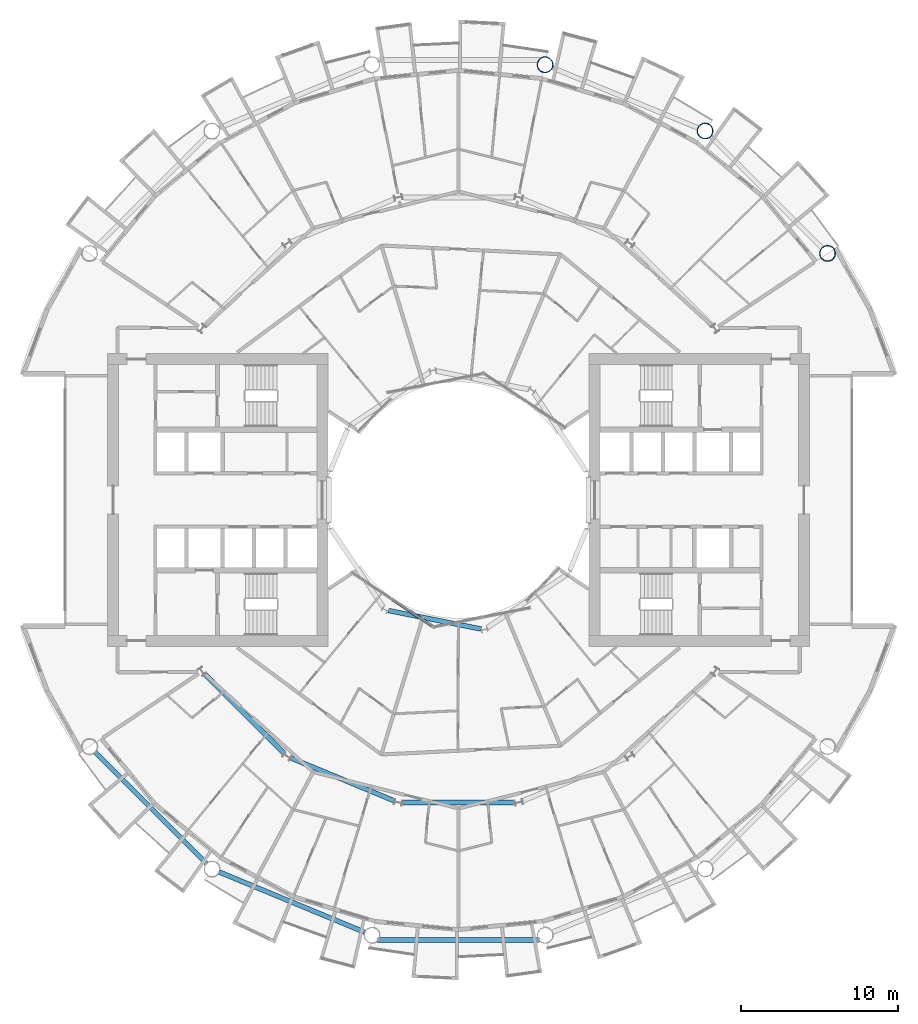
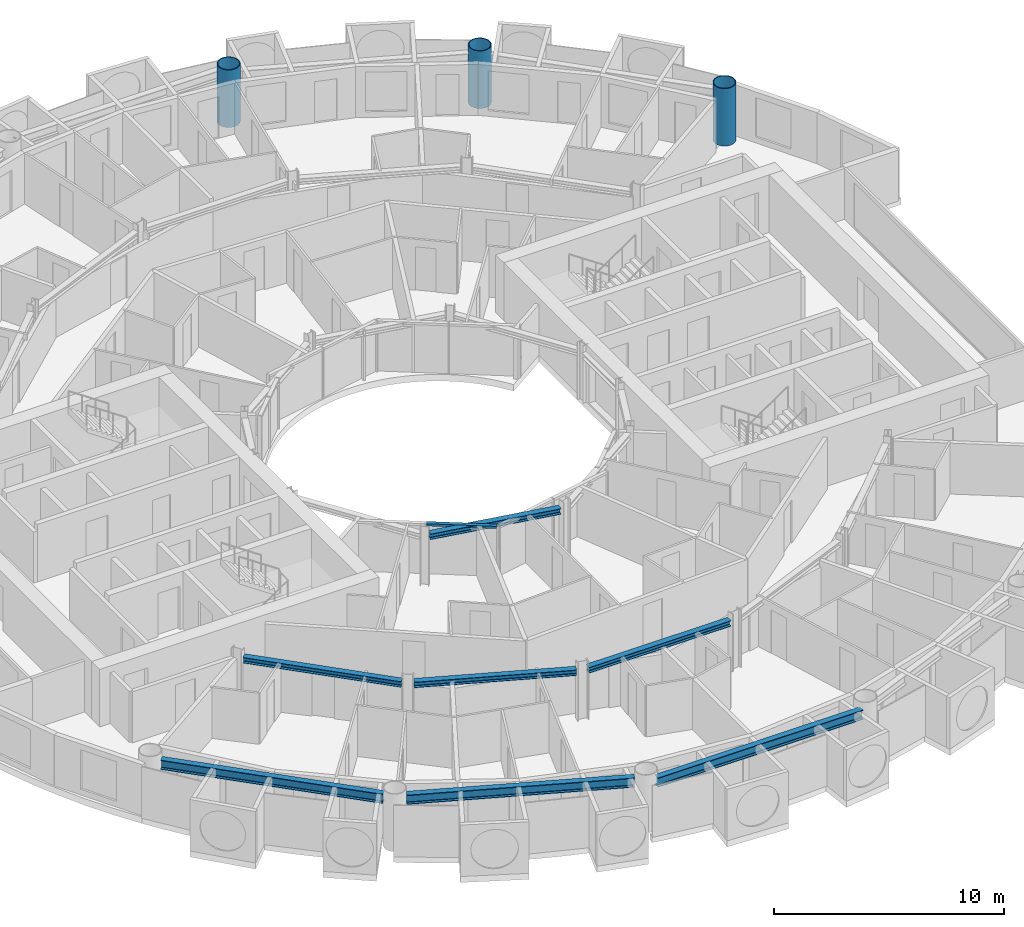
# One storey, part 4 of 26: 7 beams, 3 columns, 1 member, 1 element without a shape of its own.
"""IFC4 building model written with IfcOpenShell, lengths in metres."""

from ifc_helpers import new_model, si_unit, direction, frame, origin, origin_2d, place, context, subcontext, project, spatial, rectangle, hollow_circle, i_section, extrude, material, layer, layer_set, material_profile, profile_set, type_object, element, aggregate, save


model = new_model("IFC4")

# Units and contexts
model_context = context("Model", 3, precision=1e-05, world=origin(), true_north=direction((0.0, 1.0)))
body_context = subcontext(model_context, "Body", "Model", "MODEL_VIEW")
ifc_project = project(units=[si_unit("LENGTHUNIT", "METRE"), si_unit("AREAUNIT", "SQUARE_METRE"), si_unit("VOLUMEUNIT", "CUBIC_METRE"), si_unit("PLANEANGLEUNIT", "RADIAN"), si_unit("MASSUNIT", "GRAM", prefix="KILO")], contexts=[model_context])

# Site, building, storey
site_placement = place(None, origin())
site = spatial("IfcSite", under=ifc_project, at=site_placement, CompositionType="ELEMENT")
building_placement = place(site_placement, origin())
building = spatial("IfcBuilding", under=site, at=building_placement, Name="Maasbend Ring Residences", CompositionType="ELEMENT")
storey_placement = place(building_placement, frame((0.0, 0.0, 81.89990234375)))
storey = spatial("IfcBuildingStorey", under=building, at=storey_placement, Name="L23", CompositionType="ELEMENT", Elevation=81.89990234375)

# Columns
ifc_material_1 = material(Name="Composite concrete-filled steel tube S460NH / C80/95", Category="concrete")
ifc_material_profile_1 = material_profile(ifc_material_1, hollow_circle(Radius=0.508056640625, WallThickness=0.0400390625, at=origin_2d()), Name="Composite tube column CHS 1016x40")
ifc_profile_set_1 = profile_set([ifc_material_profile_1], Name="Composite concrete-filled steel tube S460NH / C80/95")
column_type = type_object("IfcColumnType", Name="Composite tube column CHS 1016x40", PredefinedType="COLUMN", material=ifc_profile_set_1)
for number, where, z_axis, x_axis, name in (
    (1, (23.447509765625, 15.6669921875, 0.0), (0.0, 0.0, 1.0), (1.0, 0.0, 0.0), "Outer column R2"),
    (2, (15.6669921875, 23.447509765625, 0.0), (0.0, 0.0, 1.0), (1.0, 0.0, 0.0), "Outer column R3"),
    (3, (5.50146484375, 27.658203125, 0.0), (0.0, 0.0, 1.0), (1.0, 0.0, 0.0), "Outer column R4"),
):
    element("IfcColumn", number, at=place(storey_placement, frame(where, z_axis=z_axis, x_axis=x_axis)), inside=storey, type_object=column_type, Name=name, PredefinedType="COLUMN", context=body_context, shape_type="SweptSolid", body=[
        extrude(hollow_circle(Radius=0.508056640625, WallThickness=0.0400390625, at=origin_2d()), origin(), (0.0, 0.0, 1.0), 3.050048828125),
    ])

# Curtain wall, member
ifc_material_2 = material(Name="Aluminium and clear glass", Category="aluminium")
ifc_layer = layer(ifc_material_2, 0.179931640625)
ifc_layer_set = layer_set([ifc_layer], Name="CW-W")
curtain_wall_type = type_object("IfcCurtainWallType", Name="CW-W", PredefinedType="NOTDEFINED", material=ifc_layer_set)
curtain_wall_placement = place(storey_placement, origin())
curtain_wall = element("IfcCurtainWall", 4, at=curtain_wall_placement, inside=storey, type_object=curtain_wall_type, Name="Well curtain wall S1", PredefinedType="NOTDEFINED")
ifc_material_3 = material(Name="Aluminium 6063-T6", Category="aluminium")
ifc_material_profile_2 = material_profile(ifc_material_3, rectangle(XDim=0.179931640625, YDim=0.1201171875, at=origin_2d()), Name="AL 180x120")
ifc_profile_set_2 = profile_set([ifc_material_profile_2], Name="Aluminium 6063-T6")
member_type = type_object("IfcMemberType", Name="CWT-W", PredefinedType="USERDEFINED", material=ifc_profile_set_2)
member_placement = place(storey_placement, frame((-4.19189453125, -6.32763671875, 2.64013671875), z_axis=(0.831496422459, -0.555530106689, 0.0), x_axis=(0.555530106689, 0.831496422459, 0.0)))
member = element("IfcMember", 5, at=member_placement, type_object=member_type, Name="Transom well face", ObjectType="TRANSOM", PredefinedType="USERDEFINED", context=body_context, shape_type="SweptSolid", body=[
    extrude(rectangle(XDim=0.179931640625, YDim=0.1201171875, at=origin_2d()), origin(), (0.0, 0.0, 1.0), 3.053955078125),
])
aggregate(curtain_wall, [member])

# Beams
ifc_material_4 = material(Name="Steel S355J2", Category="steel")
ifc_material_profile_3 = material_profile(ifc_material_4, i_section(OverallWidth=0.300048828125, OverallDepth=0.300048828125, WebThickness=0.010986328125, FlangeThickness=0.01904296875, FilletRadius=0.027099609375, at=origin_2d()), Name="HEB 300")
ifc_profile_set_3 = profile_set([ifc_material_profile_3], Name="Steel S355J2")
beam_type_1 = type_object("IfcBeamType", Name="Corridor ring beam HEB 300", PredefinedType="BEAM", material=ifc_profile_set_3)
for number, where, z_axis, x_axis, name in (
    (6, (-16.10791015625, -11.078125, 2.550048828125), (0.707106781187, -0.707106781187, 0.0), (0.707106781187, 0.707106781187, 0.0), "Corridor ring beam"),
    (7, (-10.642333984375, -16.39892578125, 2.550048828125), (0.923877113721, -0.382689271788, 0.0), (0.382689271788, 0.923877113721, 0.0), "Corridor ring beam"),
    (8, (-3.556640625, -19.223388671875, 2.550048828125), (1.0, 0.0, 0.0), (0.0, 1.0, 0.0), "Corridor ring beam"),
):
    element("IfcBeam", number, at=place(storey_placement, frame(where, z_axis=z_axis, x_axis=x_axis)), inside=storey, type_object=beam_type_1, Name=name, PredefinedType="BEAM", context=body_context, shape_type="SweptSolid", body=[
        extrude(i_section(OverallWidth=0.300048828125, OverallDepth=0.300048828125, WebThickness=0.010986328125, FlangeThickness=0.01904296875, FilletRadius=0.027099609375, at=origin_2d()), origin(), (0.0, 0.0, 1.0), 7.11328125),
    ])
ifc_material_5 = material(Name="Steel S355J2", Category="steel")
ifc_material_profile_4 = material_profile(ifc_material_5, i_section(OverallWidth=0.300048828125, OverallDepth=0.5, WebThickness=0.014404296875, FlangeThickness=0.028076171875, FilletRadius=0.027099609375, at=origin_2d()), Name="HEB 500")
ifc_profile_set_4 = profile_set([ifc_material_profile_4], Name="Steel S355J2")
beam_type_2 = type_object("IfcBeamType", Name="Spandrel ring beam HEB 500", PredefinedType="SPANDREL", material=ifc_profile_set_4)
beam_1_placement = place(storey_placement, frame((-23.088134765625, -16.0263671875, 2.4501953125), z_axis=(0.707106781187, -0.707106781187, 0.0), x_axis=(0.707106781187, 0.707106781187, 0.0)))
element("IfcBeam", 9, at=beam_1_placement, inside=storey, type_object=beam_type_2, Name="Spandrel ring beam", PredefinedType="SPANDREL", context=body_context, shape_type="SweptSolid", body=[
    extrude(i_section(OverallWidth=0.300048828125, OverallDepth=0.5, WebThickness=0.014404296875, FlangeThickness=0.028076171875, FilletRadius=0.027099609375, at=origin_2d()), origin(), (0.0, 0.0, 1.0), 9.98681640625),
])
beam_2_placement = place(storey_placement, frame((-15.19775390625, -23.641845703125, 2.4501953125), z_axis=(0.923886337442, -0.382667003395, 0.0), x_axis=(0.382667003395, 0.923886337442, 0.0)))
element("IfcBeam", 10, at=beam_2_placement, inside=storey, type_object=beam_type_2, Name="Spandrel ring beam", PredefinedType="SPANDREL", context=body_context, shape_type="SweptSolid", body=[
    extrude(i_section(OverallWidth=0.300048828125, OverallDepth=0.5, WebThickness=0.014404296875, FlangeThickness=0.028076171875, FilletRadius=0.027099609375, at=origin_2d()), origin(), (0.0, 0.0, 1.0), 9.9873046875),
])
beam_3_placement = place(storey_placement, frame((-5.1435546875, -27.9580078125, 2.4501953125), z_axis=(1.0, 0.0, 0.0), x_axis=(0.0, 1.0, 0.0)))
element("IfcBeam", 11, at=beam_3_placement, inside=storey, type_object=beam_type_2, Name="Spandrel ring beam", PredefinedType="SPANDREL", context=body_context, shape_type="SweptSolid", body=[
    extrude(i_section(OverallWidth=0.300048828125, OverallDepth=0.5, WebThickness=0.014404296875, FlangeThickness=0.028076171875, FilletRadius=0.027099609375, at=origin_2d()), origin(), (0.0, 0.0, 1.0), 10.287109375),
])
ifc_material_6 = material(Name="Steel S355J2", Category="steel")
ifc_material_profile_5 = material_profile(ifc_material_6, i_section(OverallWidth=0.300048828125, OverallDepth=0.300048828125, WebThickness=0.010986328125, FlangeThickness=0.01904296875, FilletRadius=0.027099609375, at=origin_2d()), Name="HEB 300")
ifc_profile_set_5 = profile_set([ifc_material_profile_5], Name="Steel S355J2")
beam_type_3 = type_object("IfcBeamType", Name="Well edge beam HEB 300", PredefinedType="BEAM", material=ifc_profile_set_5)
beam_4_placement = place(storey_placement, frame((-4.45458984375, -7.026611328125, 2.550048828125), z_axis=(0.980789954577, -0.195066821885, 0.0), x_axis=(0.195066821885, 0.980789954577, 0.0)))
element("IfcBeam", 12, at=beam_4_placement, inside=storey, type_object=beam_type_3, Name="Well edge beam", PredefinedType="BEAM", context=body_context, shape_type="SweptSolid", body=[
    extrude(i_section(OverallWidth=0.300048828125, OverallDepth=0.300048828125, WebThickness=0.010986328125, FlangeThickness=0.01904296875, FilletRadius=0.027099609375, at=origin_2d()), origin(), (0.0, 0.0, 1.0), 5.996337890625),
])

save(model, "model.ifc")
